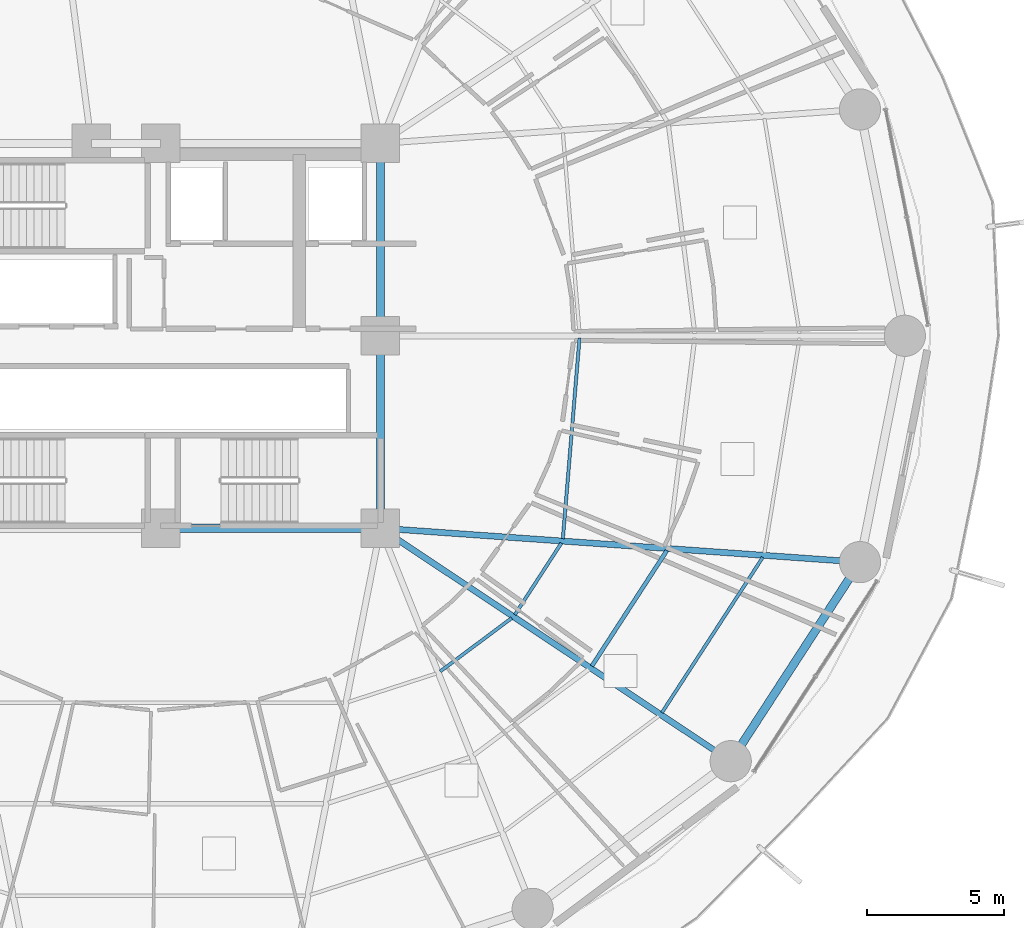
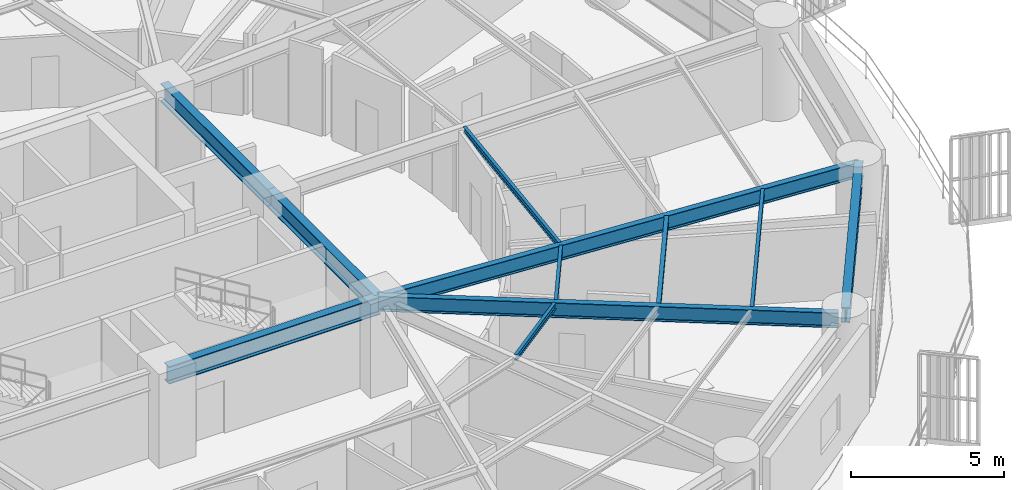
# One storey, part 11 of 34: 11 beams.
"""IFC4 building model written with IfcOpenShell, lengths in metres."""

from ifc_helpers import new_model, si_unit, direction, frame, origin, origin_2d, place, context, subcontext, project, spatial, i_section, extrude, material, material_profile, profile_set, type_object, element, save


model = new_model("IFC4")

# Units and contexts
model_context = context("Model", 3, precision=1e-05, world=origin(), true_north=direction((0.0, 1.0)))
body_context = subcontext(model_context, "Body", "Model", "MODEL_VIEW")
ifc_project = project(units=[si_unit("LENGTHUNIT", "METRE"), si_unit("AREAUNIT", "SQUARE_METRE"), si_unit("VOLUMEUNIT", "CUBIC_METRE"), si_unit("PLANEANGLEUNIT", "RADIAN"), si_unit("MASSUNIT", "GRAM", prefix="KILO")], contexts=[model_context])

# Site, building, storey
site_placement = place(None, origin())
site = spatial("IfcSite", under=ifc_project, at=site_placement, CompositionType="ELEMENT")
building_placement = place(site_placement, origin())
building = spatial("IfcBuilding", under=site, at=building_placement, Name="Kelanora Arch Commons", CompositionType="ELEMENT")
storey_placement = place(building_placement, frame((0.0, 0.0, 30.0)))
storey = spatial("IfcBuildingStorey", under=building, at=storey_placement, Name="L07", CompositionType="ELEMENT", Elevation=30.0)

# Beams
ifc_material = material(Name="Steel S355", Category="steel")
ifc_material_profile_1 = material_profile(ifc_material, i_section(OverallWidth=0.300048828125, OverallDepth=0.699951171875, WebThickness=0.01708984375, FlangeThickness=0.031982421875, FilletRadius=0.027099609375, at=origin_2d()), Name="HEB700")
ifc_profile_set_1 = profile_set([ifc_material_profile_1], Name="Steel S355")
beam_type_1 = type_object("IfcBeamType", Name="BM-CORE-HDR", PredefinedType="BEAM", material=ifc_profile_set_1)
beam_1_placement = place(storey_placement, frame((74.0, 51.0, 3.139892578125), z_axis=(1.0, 0.0, 0.0), x_axis=(0.0, 1.0, 0.0)))
element("IfcBeam", 1, at=beam_1_placement, inside=storey, type_object=beam_type_1, Name="Core Header Beam 02 L07", PredefinedType="BEAM", context=body_context, shape_type="SweptSolid", body=[
    extrude(i_section(OverallWidth=0.300048828125, OverallDepth=0.699951171875, WebThickness=0.01708984375, FlangeThickness=0.031982421875, FilletRadius=0.027099609375, at=origin_2d()), origin(), (0.0, 0.0, 1.0), 8.0),
])
for number, where, z_axis, x_axis, name in (
    (2, (82.0, 51.0, 3.139892578125), (0.0, 1.0, 0.0), (-1.0, 0.0, 0.0), "Core Header Beam 03 L07"),
    (3, (82.0, 58.0, 3.139892578125), (0.0, 1.0, 0.0), (-1.0, 0.0, 0.0), "Core Header Beam 04 L07"),
):
    element("IfcBeam", number, at=place(storey_placement, frame(where, z_axis=z_axis, x_axis=x_axis)), inside=storey, type_object=beam_type_1, Name=name, PredefinedType="BEAM", context=body_context, shape_type="SweptSolid", body=[
        extrude(i_section(OverallWidth=0.300048828125, OverallDepth=0.699951171875, WebThickness=0.01708984375, FlangeThickness=0.031982421875, FilletRadius=0.027099609375, at=origin_2d()), origin(), (0.0, 0.0, 1.0), 7.0),
    ])
ifc_material_profile_2 = material_profile(ifc_material, i_section(OverallWidth=0.14990234375, OverallDepth=0.300048828125, WebThickness=0.007080078125, FlangeThickness=0.0107421875, FilletRadius=0.014892578125, at=origin_2d()), Name="IPE300")
ifc_profile_set_2 = profile_set([ifc_material_profile_2], Name="Steel S355")
beam_type_2 = type_object("IfcBeamType", Name="BM-JST-01", PredefinedType="JOIST", material=ifc_profile_set_2)
beam_2_placement = place(storey_placement, frame((89.693115234375, 45.984375, 3.340087890625), z_axis=(0.544551588245, 0.838727350061, 0.0), x_axis=(-0.838727350061, 0.544551588245, 0.0)))
element("IfcBeam", 4, at=beam_2_placement, inside=storey, type_object=beam_type_2, Name="Secondary Chord Joist BJB-32 L07", PredefinedType="JOIST", context=body_context, shape_type="SweptSolid", body=[
    extrude(i_section(OverallWidth=0.14990234375, OverallDepth=0.300048828125, WebThickness=0.007080078125, FlangeThickness=0.0107421875, FilletRadius=0.014892578125, at=origin_2d()), origin(), (0.0, 0.0, 1.0), 5.010986328125),
])
ifc_material_profile_3 = material_profile(ifc_material, i_section(OverallWidth=0.1201171875, OverallDepth=0.239990234375, WebThickness=0.006103515625, FlangeThickness=0.009765625, FilletRadius=0.014892578125, at=origin_2d()), Name="IPE240")
ifc_profile_set_3 = profile_set([ifc_material_profile_3], Name="Steel S355")
beam_type_3 = type_object("IfcBeamType", Name="BM-JST-02", PredefinedType="JOIST", material=ifc_profile_set_3)
beam_3_placement = place(storey_placement, frame((84.17333984375, 45.786376953125, 3.3701171875), z_axis=(0.801513822608, 0.59797624716, 0.0), x_axis=(-0.59797624716, 0.801513822608, 0.0)))
element("IfcBeam", 5, at=beam_3_placement, inside=storey, type_object=beam_type_3, Name="Secondary Chord Joist BJA-30 L07", PredefinedType="JOIST", context=body_context, shape_type="SweptSolid", body=[
    extrude(i_section(OverallWidth=0.1201171875, OverallDepth=0.239990234375, WebThickness=0.006103515625, FlangeThickness=0.009765625, FilletRadius=0.014892578125, at=origin_2d()), origin(), (0.0, 0.0, 1.0), 3.245849609375),
])
beam_4_placement = place(storey_placement, frame((86.88916015625, 47.849609375, 3.3701171875), z_axis=(0.544591105858, 0.838701691557, 0.0), x_axis=(-0.838701691557, 0.544591105858, 0.0)))
element("IfcBeam", 6, at=beam_4_placement, inside=storey, type_object=beam_type_3, Name="Secondary Chord Joist BJA-32 L07", PredefinedType="JOIST", context=body_context, shape_type="SweptSolid", body=[
    extrude(i_section(OverallWidth=0.1201171875, OverallDepth=0.239990234375, WebThickness=0.006103515625, FlangeThickness=0.009765625, FilletRadius=0.014892578125, at=origin_2d()), origin(), (0.0, 0.0, 1.0), 3.111328125),
])
beam_5_placement = place(storey_placement, frame((92.241943359375, 44.288818359375, 3.3701171875), z_axis=(0.544550165372, 0.838728273873, 0.0), x_axis=(-0.838728273873, 0.544550165372, 0.0)))
element("IfcBeam", 7, at=beam_5_placement, inside=storey, type_object=beam_type_3, Name="Secondary Chord Joist BJC-32 L07", PredefinedType="JOIST", context=body_context, shape_type="SweptSolid", body=[
    extrude(i_section(OverallWidth=0.1201171875, OverallDepth=0.239990234375, WebThickness=0.006103515625, FlangeThickness=0.009765625, FilletRadius=0.014892578125, at=origin_2d()), origin(), (0.0, 0.0, 1.0), 6.738037109375),
])
beam_6_placement = place(storey_placement, frame((88.636962890625, 50.614990234375, 3.3701171875), z_axis=(0.082786209886, 0.996567330115, 0.0), x_axis=(-0.996567330115, 0.082786209886, 0.0)))
element("IfcBeam", 8, at=beam_6_placement, inside=storey, type_object=beam_type_3, Name="Secondary Chord Joist BJA-34 L07", PredefinedType="JOIST", context=body_context, shape_type="SweptSolid", body=[
    extrude(i_section(OverallWidth=0.1201171875, OverallDepth=0.239990234375, WebThickness=0.006103515625, FlangeThickness=0.009765625, FilletRadius=0.014892578125, at=origin_2d()), origin(), (0.0, 0.0, 1.0), 7.325439453125),
])
ifc_material_profile_4 = material_profile(ifc_material, i_section(OverallWidth=0.219970703125, OverallDepth=0.60009765625, WebThickness=0.011962890625, FlangeThickness=0.01904296875, FilletRadius=0.02392578125, at=origin_2d()), Name="IPE600")
ifc_profile_set_4 = profile_set([ifc_material_profile_4], Name="Steel S355")
beam_type_4 = type_object("IfcBeamType", Name="BM-RAD-Z1", PredefinedType="BEAM", material=ifc_profile_set_4)
beam_7_placement = place(storey_placement, frame((82.0, 51.0, 3.18994140625), z_axis=(0.832592623638, -0.553885839379, 0.0), x_axis=(0.553885839379, 0.832592623638, 0.0)))
element("IfcBeam", 9, at=beam_7_placement, inside=storey, type_object=beam_type_4, Name="Radial Floor Girder BR-32 L07", PredefinedType="BEAM", context=body_context, shape_type="SweptSolid", body=[
    extrude(i_section(OverallWidth=0.219970703125, OverallDepth=0.60009765625, WebThickness=0.011962890625, FlangeThickness=0.01904296875, FilletRadius=0.02392578125, at=origin_2d()), origin(), (0.0, 0.0, 1.0), 15.0869140625),
])
beam_8_placement = place(storey_placement, frame((82.0, 51.0, 3.18994140625), z_axis=(0.997500683472, -0.070656821848, 0.0), x_axis=(0.070656821848, 0.997500683472, 0.0)))
element("IfcBeam", 10, at=beam_8_placement, inside=storey, type_object=beam_type_4, Name="Radial Floor Girder BR-34 L07", PredefinedType="BEAM", context=body_context, shape_type="SweptSolid", body=[
    extrude(i_section(OverallWidth=0.219970703125, OverallDepth=0.60009765625, WebThickness=0.011962890625, FlangeThickness=0.01904296875, FilletRadius=0.02392578125, at=origin_2d()), origin(), (0.0, 0.0, 1.0), 17.49072265625),
])
ifc_material_profile_5 = material_profile(ifc_material, i_section(OverallWidth=0.300048828125, OverallDepth=0.60009765625, WebThickness=0.015380859375, FlangeThickness=0.030029296875, FilletRadius=0.027099609375, at=origin_2d()), Name="HEB600")
ifc_profile_set_5 = profile_set([ifc_material_profile_5], Name="Steel S355")
beam_type_5 = type_object("IfcBeamType", Name="BM-SPN-Z1", PredefinedType="SPANDREL", material=ifc_profile_set_5)
beam_9_placement = place(storey_placement, frame((94.8642578125, 42.706298828125, 3.18994140625), z_axis=(0.544583445345, 0.83870666568, 0.0), x_axis=(-0.83870666568, 0.544583445345, 0.0)))
element("IfcBeam", 11, at=beam_9_placement, inside=storey, type_object=beam_type_5, Name="Perimeter Spandrel Beam BS-32 L07", PredefinedType="SPANDREL", context=body_context, shape_type="SweptSolid", body=[
    extrude(i_section(OverallWidth=0.300048828125, OverallDepth=0.60009765625, WebThickness=0.015380859375, FlangeThickness=0.030029296875, FilletRadius=0.027099609375, at=origin_2d()), origin(), (0.0, 0.0, 1.0), 8.415283203125),
])

save(model, "model.ifc")
